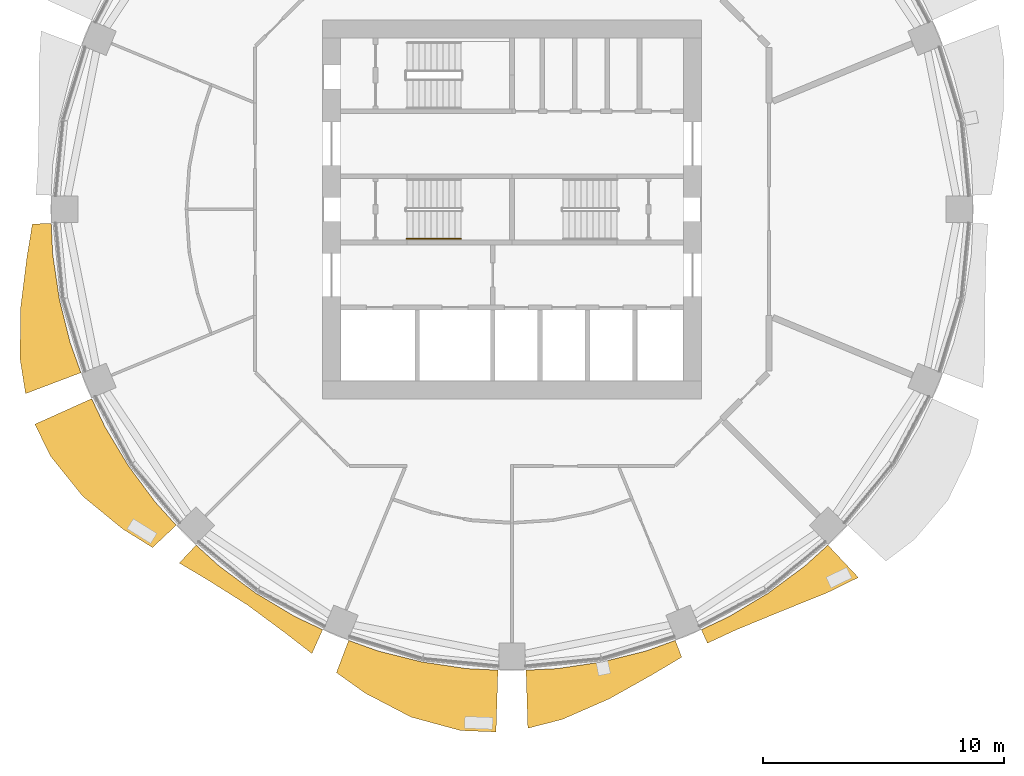
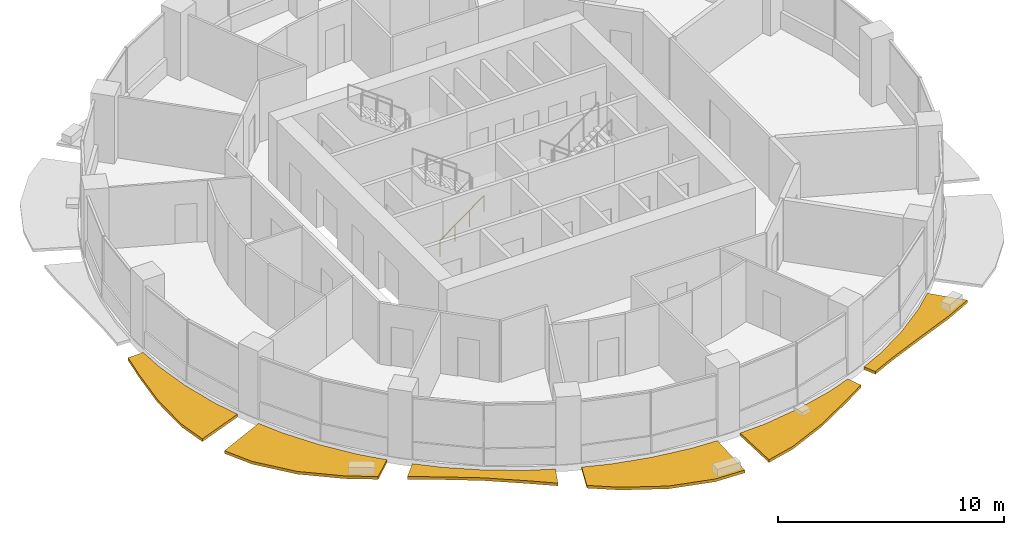
# One storey, part 11 of 14: 6 shading devices, 1 railing.
"""IFC4 building model written with IfcOpenShell, lengths in metres."""

from ifc_helpers import new_model, si_unit, direction, frame, origin, origin_2d, place, context, subcontext, project, spatial, polyline, circle, outline, extrude, material, type_object, element, save


model = new_model("IFC4")

# Units and contexts
model_context = context("Model", 3, precision=1e-05, world=origin(), true_north=direction((0.0, 1.0)))
body_context = subcontext(model_context, "Body", "Model", "MODEL_VIEW")
ifc_project = project(units=[si_unit("LENGTHUNIT", "METRE"), si_unit("AREAUNIT", "SQUARE_METRE"), si_unit("VOLUMEUNIT", "CUBIC_METRE"), si_unit("PLANEANGLEUNIT", "RADIAN"), si_unit("MASSUNIT", "GRAM", prefix="KILO")], contexts=[model_context])

# Site, building, storey
site_placement = place(None, origin())
site = spatial("IfcSite", under=ifc_project, at=site_placement, CompositionType="ELEMENT")
building_placement = place(site_placement, origin())
building = spatial("IfcBuilding", under=site, at=building_placement, Name="Polderwave Tower", CompositionType="ELEMENT")
storey_placement = place(building_placement, frame((0.0, 0.0, 109.25)))
storey = spatial("IfcBuildingStorey", under=building, at=storey_placement, Name="L28", CompositionType="ELEMENT", Elevation=109.25)

# Railing
ifc_material_1 = material(Name="Stainless steel", Category="steel")
railing_type = type_object("IfcRailingType", Name="Stair handrail 900", PredefinedType="HANDRAIL", material=ifc_material_1)
railing_placement = place(storey_placement, frame((-4.3740234375, -1.22509765625, 0.1826171875)))
element("IfcRailing", 1, at=railing_placement, inside=storey, type_object=railing_type, Name="L28 ST-A stair handrail 1", PredefinedType="HANDRAIL", context=body_context, shape_type="SweptSolid", body=[
    extrude(circle(Radius=0.02392578125, at=origin_2d()), frame((0.0, 0.0, 0.8759765625), z_axis=(0.807715371301, 0.0, 0.589572623995), x_axis=(0.0, 1.0, 0.0)), (0.0, 0.0, 1.0), 2.78564453125),
    extrude(circle(Radius=0.02099609375, at=origin_2d()), origin(), (0.0, 0.0, 1.0), 0.851806640625),
    extrude(circle(Radius=0.02099609375, at=origin_2d()), frame((0.75, 0.0, 0.54736328125)), (0.0, 0.0, 1.0), 0.851806640625),
    extrude(circle(Radius=0.02099609375, at=origin_2d()), frame((1.5, 0.0, 1.094970703125)), (0.0, 0.0, 1.0), 0.851806640625),
    extrude(circle(Radius=0.02099609375, at=origin_2d()), frame((2.25, 0.0, 1.642333984375)), (0.0, 0.0, 1.0), 0.851806640625),
])

# Shading devices
ifc_material_2 = material(Name="Terracotta", Category="masonry")
shading_device_type = type_object("IfcShadingDeviceType", Name="Terracotta sunshade band", PredefinedType="USERDEFINED", material=ifc_material_2)
shading_device_1_placement = place(storey_placement, frame((0.0, 0.0, -0.35009765625)))
element("IfcShadingDevice", 2, at=shading_device_1_placement, inside=storey, type_object=shading_device_type, Name="Sunshade band L28 9", ObjectType="SUNSHADE", PredefinedType="USERDEFINED", context=body_context, shape_type="SweptSolid", body=[
    extrude(outline(polyline([(-19.1513671875, -0.584228515625), (-19.087646484375, -1.8798828125), (-18.8115234375, -3.74169921875), (-18.35400390625, -5.567626953125), (-17.9169921875, -6.789306640625), (-20.21728515625, -7.66064453125), (-20.447998046875, -6.202880859375), (-20.419677734375, -4.061767578125), (-20.160400390625, -1.985595703125), (-19.934326171875, -0.608154296875), (-19.1513671875, -0.584228515625)])), origin(), (0.0, 0.0, 1.0), 0.150146484375),
])
shading_device_2_placement = place(storey_placement, frame((0.0, 0.0, -0.35009765625)))
element("IfcShadingDevice", 3, at=shading_device_2_placement, inside=storey, type_object=shading_device_type, Name="Sunshade band L28 10", ObjectType="SUNSHADE", PredefinedType="USERDEFINED", context=body_context, shape_type="SweptSolid", body=[
    extrude(outline(polyline([(-17.469970703125, -7.86865234375), (-16.915283203125, -9.04150390625), (-15.947509765625, -10.65576171875), (-14.826416015625, -12.167724609375), (-13.955078125, -13.12890625), (-14.940673828125, -14.05615234375), (-16.183837890625, -13.28173828125), (-17.842041015625, -11.921630859375), (-19.183837890625, -10.25390625), (-19.827392578125, -8.930419921875), (-17.469970703125, -7.86865234375)])), origin(), (0.0, 0.0, 1.0), 0.150146484375),
])
shading_device_3_placement = place(storey_placement, frame((0.0, 0.0, -0.35009765625)))
element("IfcShadingDevice", 4, at=shading_device_3_placement, inside=storey, type_object=shading_device_type, Name="Sunshade band L28 11", ObjectType="SUNSHADE", PredefinedType="USERDEFINED", context=body_context, shape_type="SweptSolid", body=[
    extrude(outline(polyline([(-13.12890625, -13.955078125), (-12.167724609375, -14.826416015625), (-10.65576171875, -15.947509765625), (-9.04150390625, -16.915283203125), (-7.86865234375, -17.469970703125), (-8.31591796875, -18.463134765625), (-9.414306640625, -17.613037109375), (-10.989501953125, -16.447021484375), (-12.6416015625, -15.40380859375), (-13.829833984375, -14.7001953125), (-13.12890625, -13.955078125)])), origin(), (0.0, 0.0, 1.0), 0.150146484375),
])
shading_device_4_placement = place(storey_placement, frame((0.0, 0.0, -0.35009765625)))
element("IfcShadingDevice", 5, at=shading_device_4_placement, inside=storey, type_object=shading_device_type, Name="Sunshade band L28 12", ObjectType="SUNSHADE", PredefinedType="USERDEFINED", context=body_context, shape_type="SweptSolid", body=[
    extrude(outline(polyline([(-6.789306640625, -17.9169921875), (-5.567626953125, -18.35400390625), (-3.74169921875, -18.8115234375), (-1.8798828125, -19.087646484375), (-0.584228515625, -19.1513671875), (-0.66259765625, -21.71923828125), (-2.133544921875, -21.662841796875), (-4.197265625, -21.101318359375), (-6.10009765625, -20.10888671875), (-7.296142578125, -19.2548828125), (-6.789306640625, -17.9169921875)])), origin(), (0.0, 0.0, 1.0), 0.150146484375),
])
shading_device_5_placement = place(storey_placement, frame((0.0, 0.0, -0.35009765625)))
element("IfcShadingDevice", 6, at=shading_device_5_placement, inside=storey, type_object=shading_device_type, Name="Sunshade band L28 13", ObjectType="SUNSHADE", PredefinedType="USERDEFINED", context=body_context, shape_type="SweptSolid", body=[
    extrude(outline(polyline([(0.584228515625, -19.1513671875), (1.8798828125, -19.087646484375), (3.74169921875, -18.8115234375), (5.567626953125, -18.35400390625), (6.789306640625, -17.9169921875), (7.051513671875, -18.609375), (5.861328125, -19.322509765625), (4.046142578125, -20.341796875), (2.087890625, -21.19970703125), (0.657958984375, -21.56689453125), (0.584228515625, -19.1513671875)])), origin(), (0.0, 0.0, 1.0), 0.150146484375),
])
shading_device_6_placement = place(storey_placement, frame((0.0, 0.0, -0.35009765625)))
element("IfcShadingDevice", 7, at=shading_device_6_placement, inside=storey, type_object=shading_device_type, Name="Sunshade band L28 14", ObjectType="SUNSHADE", PredefinedType="USERDEFINED", context=body_context, shape_type="SweptSolid", body=[
    extrude(outline(polyline([(7.86865234375, -17.469970703125), (9.04150390625, -16.915283203125), (10.65576171875, -15.947509765625), (12.167724609375, -14.826416015625), (13.12890625, -13.955078125), (14.394287109375, -15.30029296875), (13.083740234375, -15.9423828125), (11.167724609375, -16.7138671875), (9.33740234375, -17.46875), (8.12109375, -18.0302734375), (7.86865234375, -17.469970703125)])), origin(), (0.0, 0.0, 1.0), 0.150146484375),
])

save(model, "model.ifc")
